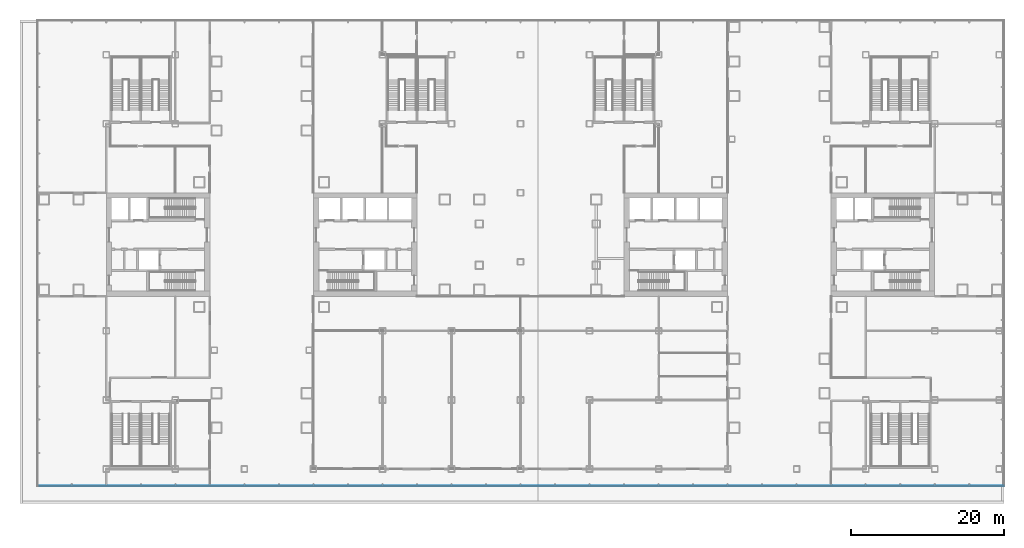
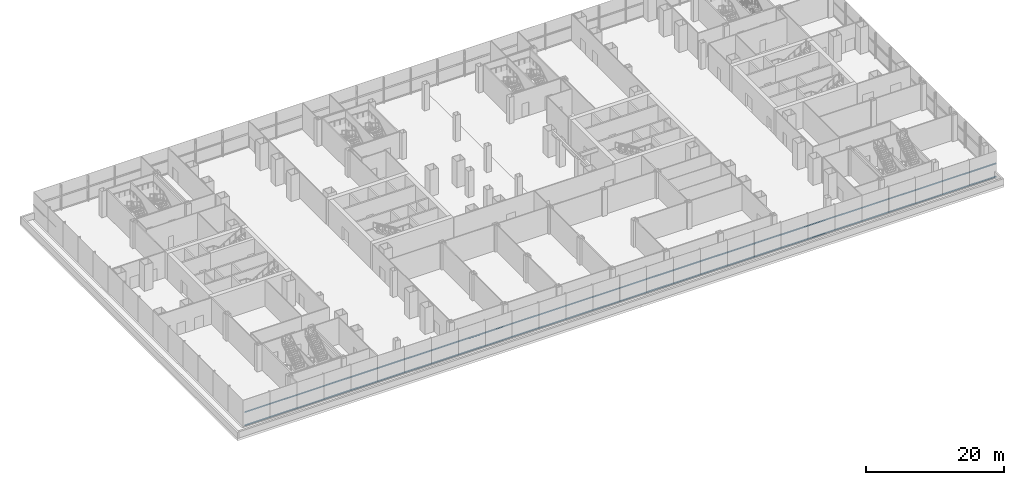
# One storey, part 8 of 30: 2 members, 1 element without a shape of its own.
"""IFC4 building model written with IfcOpenShell, lengths in metres."""

from ifc_helpers import new_model, si_unit, direction, frame, origin, origin_2d, place, context, subcontext, project, spatial, rectangle, extrude, material, layer, layer_set, material_profile, profile_set, type_object, element, aggregate, save


model = new_model("IFC4")

# Units and contexts
model_context = context("Model", 3, precision=1e-05, world=origin(), true_north=direction((0.0, 1.0)))
body_context = subcontext(model_context, "Body", "Model", "MODEL_VIEW")
ifc_project = project(units=[si_unit("LENGTHUNIT", "METRE"), si_unit("AREAUNIT", "SQUARE_METRE"), si_unit("VOLUMEUNIT", "CUBIC_METRE"), si_unit("PLANEANGLEUNIT", "RADIAN"), si_unit("MASSUNIT", "GRAM", prefix="KILO")], contexts=[model_context])

# Site, building, storey
site_placement = place(None, origin())
site = spatial("IfcSite", under=ifc_project, at=site_placement, CompositionType="ELEMENT")
building_placement = place(site_placement, origin())
building = spatial("IfcBuilding", under=site, at=building_placement, Name="Shamsa Quay Exchange Towers", CompositionType="ELEMENT")
storey_placement = place(building_placement, frame((0.0, 0.0, 23.5)))
storey = spatial("IfcBuildingStorey", under=building, at=storey_placement, Name="L04", CompositionType="ELEMENT", Elevation=23.5)

# Curtain wall, members
ifc_material = material(Name="Aluminium EN AW-6063 T6, black anodised", Category="aluminium")
ifc_layer = layer(ifc_material, 0.33203125)
ifc_layer_set = layer_set([ifc_layer], Name="CW-3 PODIUM SHOPFRONT GLAZING")
curtain_wall_type = type_object("IfcCurtainWallType", Name="CW-3 PODIUM SHOPFRONT GLAZING", PredefinedType="NOTDEFINED", material=ifc_layer_set)
curtain_wall_placement = place(storey_placement, origin())
curtain_wall = element("IfcCurtainWall", 1, at=curtain_wall_placement, inside=storey, type_object=curtain_wall_type, Name="CW3 PODIUM-L04-F03", PredefinedType="NOTDEFINED")
ifc_material_profile = material_profile(ifc_material, rectangle(XDim=0.080078125, YDim=0.159912109375, at=origin_2d()), Name="TR160x80")
ifc_profile_set = profile_set([ifc_material_profile], Name="Aluminium EN AW-6063 T6, black anodised")
member_type = type_object("IfcMemberType", Name="CW3 TRANSOM 160x80", PredefinedType="USERDEFINED", material=ifc_profile_set)
member_1_placement = place(storey_placement, frame((-62.697998046875, -31.4599609375, 0.080078125), z_axis=(1.0, 0.0, 0.0), x_axis=(0.0, 1.0, 0.0)))
member_1 = element("IfcMember", 2, at=member_1_placement, type_object=member_type, Name="CW3 transom", ObjectType="TRANSOM", PredefinedType="USERDEFINED", context=body_context, shape_type="SweptSolid", body=[
    extrude(rectangle(XDim=0.080078125, YDim=0.159912109375, at=origin_2d()), origin(), (0.0, 0.0, 1.0), 125.697998046875),
])
member_2_placement = place(storey_placement, frame((-62.697998046875, -31.4599609375, 2.405029296875), z_axis=(1.0, 0.0, 0.0), x_axis=(0.0, 1.0, 0.0)))
member_2 = element("IfcMember", 3, at=member_2_placement, type_object=member_type, Name="CW3 transom", ObjectType="TRANSOM", PredefinedType="USERDEFINED", context=body_context, shape_type="SweptSolid", body=[
    extrude(rectangle(XDim=0.080078125, YDim=0.159912109375, at=origin_2d()), origin(), (0.0, 0.0, 1.0), 125.697998046875),
])
aggregate(curtain_wall, [member_1, member_2])

save(model, "model.ifc")
